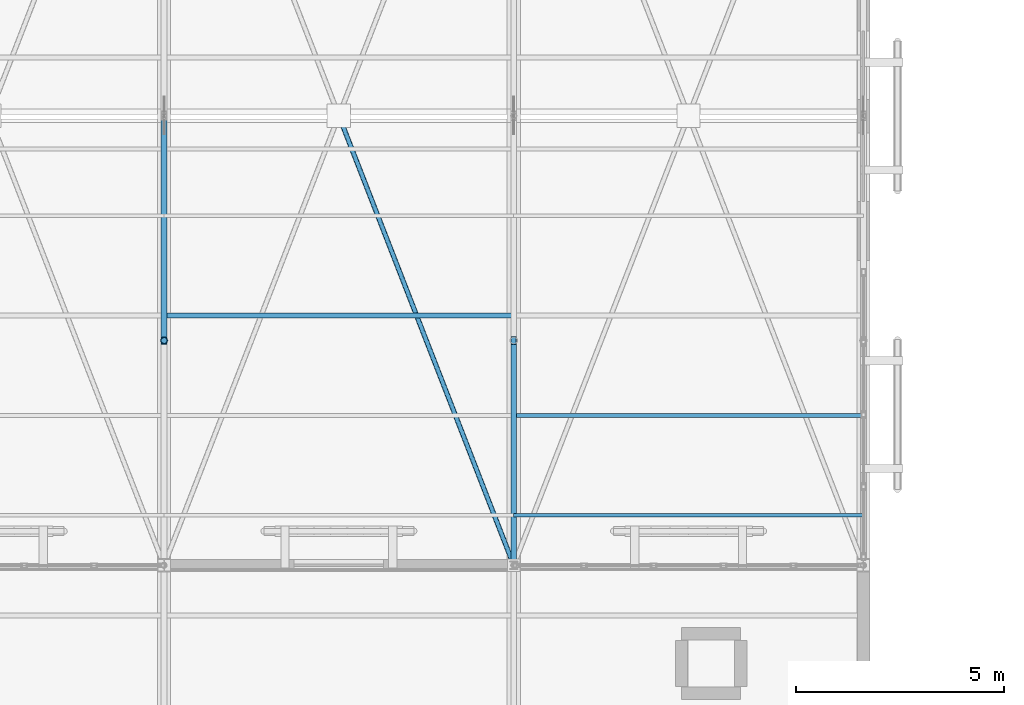
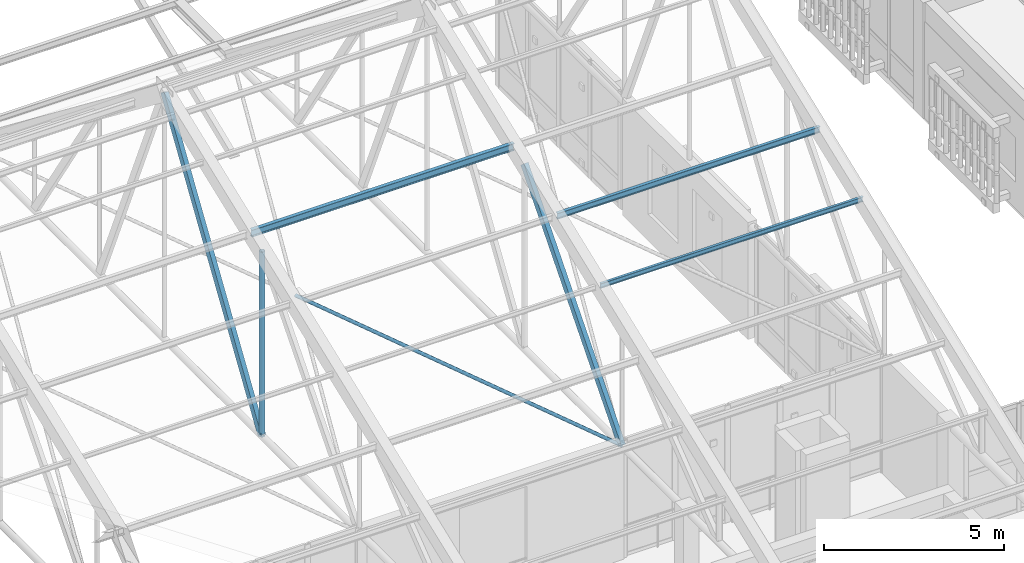
# One storey, part 104 of 217: 7 members.
"""IFC4 building model written with IfcOpenShell, lengths in metres."""

from ifc_helpers import new_model, si_unit, direction, frame, origin, origin_2d, place, context, subcontext, project, spatial, hollow_rectangle, hollow_circle, i_section, extrude, material, material_profile, profile_set, type_object, element, save


model = new_model("IFC4")

# Units and contexts
model_context = context("Model", 3, precision=1e-05, world=origin(), true_north=direction((0.0, 1.0)))
body_context = subcontext(model_context, "Body", "Model", "MODEL_VIEW")
ifc_project = project(units=[si_unit("LENGTHUNIT", "METRE"), si_unit("AREAUNIT", "SQUARE_METRE"), si_unit("VOLUMEUNIT", "CUBIC_METRE"), si_unit("PLANEANGLEUNIT", "RADIAN"), si_unit("MASSUNIT", "GRAM", prefix="KILO")], contexts=[model_context])

# Site, building, storey
site_placement = place(None, origin())
site = spatial("IfcSite", under=ifc_project, at=site_placement, CompositionType="ELEMENT")
building_placement = place(site_placement, origin())
building = spatial("IfcBuilding", under=site, at=building_placement, Name="Mazaris Harbour Polytechnic", CompositionType="ELEMENT")
storey_placement = place(building_placement, frame((0.0, 0.0, 9.60009765625)))
storey = spatial("IfcBuildingStorey", under=building, at=storey_placement, Name="L02", CompositionType="ELEMENT", Elevation=9.60009765625)

# Members
ifc_material_1 = material(Name="Steel S355", Category="steel")
ifc_material_profile_1 = material_profile(ifc_material_1, i_section(OverallWidth=0.08203125, OverallDepth=0.159912109375, WebThickness=0.0048828125, FlangeThickness=0.00732421875, FilletRadius=0.009033203125, at=origin_2d()), Name="IPE 160")
ifc_profile_set_1 = profile_set([ifc_material_profile_1], Name="Steel S355")
member_type_1 = type_object("IfcMemberType", Name="Steel Purlin IPE160", PredefinedType="PURLIN", material=ifc_profile_set_1)
member_1_placement = place(storey_placement, frame((104.39990234375, 87.60009765625, 8.43798828125), z_axis=(1.0, 0.0, 0.0), x_axis=(0.0, 1.0, 0.0)))
element("IfcMember", 1, at=member_1_placement, inside=storey, type_object=member_type_1, Name="V1 Roof Purlin S-135", PredefinedType="PURLIN", context=body_context, shape_type="SweptSolid", body=[
    extrude(i_section(OverallWidth=0.08203125, OverallDepth=0.159912109375, WebThickness=0.0048828125, FlangeThickness=0.00732421875, FilletRadius=0.009033203125, at=origin_2d()), origin(), (0.0, 0.0, 1.0), 8.400146484375),
])
ifc_material_2 = material(Name="Steel S355", Category="steel")
ifc_material_profile_2 = material_profile(ifc_material_2, i_section(OverallWidth=0.10009765625, OverallDepth=0.199951171875, WebThickness=0.005615234375, FlangeThickness=0.008544921875, FilletRadius=0.011962890625, at=origin_2d()), Name="IPE 200")
ifc_profile_set_2 = profile_set([ifc_material_profile_2], Name="Steel S355")
member_type_2 = type_object("IfcMemberType", Name="Steel Purlin IPE200", PredefinedType="PURLIN", material=ifc_profile_set_2)
member_2_placement = place(storey_placement, frame((104.39990234375, 90.0, 9.344970703125), z_axis=(1.0, 0.0, 0.0), x_axis=(0.0, 1.0, 0.0)))
element("IfcMember", 2, at=member_2_placement, inside=storey, type_object=member_type_2, Name="V1 Roof Purlin S-136", PredefinedType="PURLIN", context=body_context, shape_type="SweptSolid", body=[
    extrude(i_section(OverallWidth=0.10009765625, OverallDepth=0.199951171875, WebThickness=0.005615234375, FlangeThickness=0.008544921875, FilletRadius=0.011962890625, at=origin_2d()), origin(), (0.0, 0.0, 1.0), 8.400146484375),
])
ifc_material_3 = material(Name="Steel S355", Category="steel")
ifc_material_profile_3 = material_profile(ifc_material_3, i_section(OverallWidth=0.1201171875, OverallDepth=0.239990234375, WebThickness=0.006103515625, FlangeThickness=0.009765625, FilletRadius=0.014892578125, at=origin_2d()), Name="IPE 240")
ifc_profile_set_3 = profile_set([ifc_material_profile_3], Name="Steel S355")
member_type_3 = type_object("IfcMemberType", Name="Steel Purlin IPE240", PredefinedType="PURLIN", material=ifc_profile_set_3)
member_3_placement = place(storey_placement, frame((96.0, 92.39990234375, 10.251220703125), z_axis=(1.0, 0.0, 0.0), x_axis=(0.0, 1.0, 0.0)))
element("IfcMember", 3, at=member_3_placement, inside=storey, type_object=member_type_3, Name="V1 Roof Purlin S-116", PredefinedType="PURLIN", context=body_context, shape_type="SweptSolid", body=[
    extrude(i_section(OverallWidth=0.1201171875, OverallDepth=0.239990234375, WebThickness=0.006103515625, FlangeThickness=0.009765625, FilletRadius=0.014892578125, at=origin_2d()), origin(), (0.0, 0.0, 1.0), 8.39990234375),
])
ifc_material_4 = material(Name="Steel S355", Category="steel")
ifc_material_profile_4 = material_profile(ifc_material_4, hollow_rectangle(XDim=0.139892578125, YDim=0.239990234375, WallThickness=0.010009765625, at=origin_2d()), Name="RHS 140x240x10.0")
ifc_profile_set_4 = profile_set([ifc_material_profile_4], Name="Steel S355")
member_type_4 = type_object("IfcMemberType", Name="Steel Truss Diagonal RHS140x240", PredefinedType="BRACE", material=ifc_profile_set_4)
member_4_placement = place(storey_placement, frame((96.0, 91.800048828125, 3.75), z_axis=(0.0, 0.543042568824, 0.839705167571), x_axis=(-1.0, 0.0, 0.0)))
element("IfcMember", 4, at=member_4_placement, inside=storey, type_object=member_type_4, Name="Truss 6 Web Diagonal S4", PredefinedType="BRACE", context=body_context, shape_type="SweptSolid", body=[
    extrude(hollow_rectangle(XDim=0.139892578125, YDim=0.239990234375, WallThickness=0.010009765625, at=origin_2d()), origin(), (0.0, 0.0, 1.0), 9.94384765625),
])
member_5_placement = place(storey_placement, frame((104.39990234375, 86.39990234375, 3.75), z_axis=(0.0, 0.653042406465, 0.757321342205), x_axis=(-1.0, 0.0, 0.0)))
element("IfcMember", 5, at=member_5_placement, inside=storey, type_object=member_type_4, Name="Truss 7 Web Diagonal S3", PredefinedType="BRACE", context=body_context, shape_type="SweptSolid", body=[
    extrude(hollow_rectangle(XDim=0.139892578125, YDim=0.239990234375, WallThickness=0.010009765625, at=origin_2d()), origin(), (0.0, 0.0, 1.0), 8.269287109375),
])
ifc_material_5 = material(Name="Steel S355", Category="steel")
ifc_material_profile_5 = material_profile(ifc_material_5, hollow_circle(Radius=0.084228515625, WallThickness=0.008056640625, at=origin_2d()), Name="CHS 168.3x8.0")
ifc_profile_set_5 = profile_set([ifc_material_profile_5], Name="Steel S355")
member_type_5 = type_object("IfcMemberType", Name="Steel Truss Strut CHS168", PredefinedType="STRUT", material=ifc_profile_set_5)
member_6_placement = place(storey_placement, frame((96.0, 91.800048828125, 3.75), z_axis=(0.0, 0.0, 1.0), x_axis=(1.0, 0.0, 0.0)))
element("IfcMember", 6, at=member_6_placement, inside=storey, type_object=member_type_5, Name="Truss 6 Web Post S3", PredefinedType="STRUT", context=body_context, shape_type="SweptSolid", body=[
    extrude(hollow_circle(Radius=0.084228515625, WallThickness=0.008056640625, at=origin_2d()), origin(), (0.0, 0.0, 1.0), 6.262451171875),
])
ifc_material_6 = material(Name="Steel S355", Category="steel")
ifc_material_profile_6 = material_profile(ifc_material_6, hollow_circle(Radius=0.05712890625, WallThickness=0.00634765625, at=origin_2d()), Name="CHS 114.3x6.3")
ifc_profile_set_6 = profile_set([ifc_material_profile_6], Name="Steel S355")
member_type_6 = type_object("IfcMemberType", Name="Steel Wind Brace CHS114", PredefinedType="BRACE", material=ifc_profile_set_6)
member_7_placement = place(storey_placement, frame((100.199951171875, 97.199951171875, 3.75), z_axis=(0.3624411776, -0.932006648463, 0.0), x_axis=(0.932006648463, 0.3624411776, 0.0)))
element("IfcMember", 7, at=member_7_placement, inside=storey, type_object=member_type_6, Name="V1 Split Roof Wind Brace 6B2", PredefinedType="BRACE", context=body_context, shape_type="SweptSolid", body=[
    extrude(hollow_circle(Radius=0.05712890625, WallThickness=0.00634765625, at=origin_2d()), origin(), (0.0, 0.0, 1.0), 11.587890625),
])

save(model, "model.ifc")
